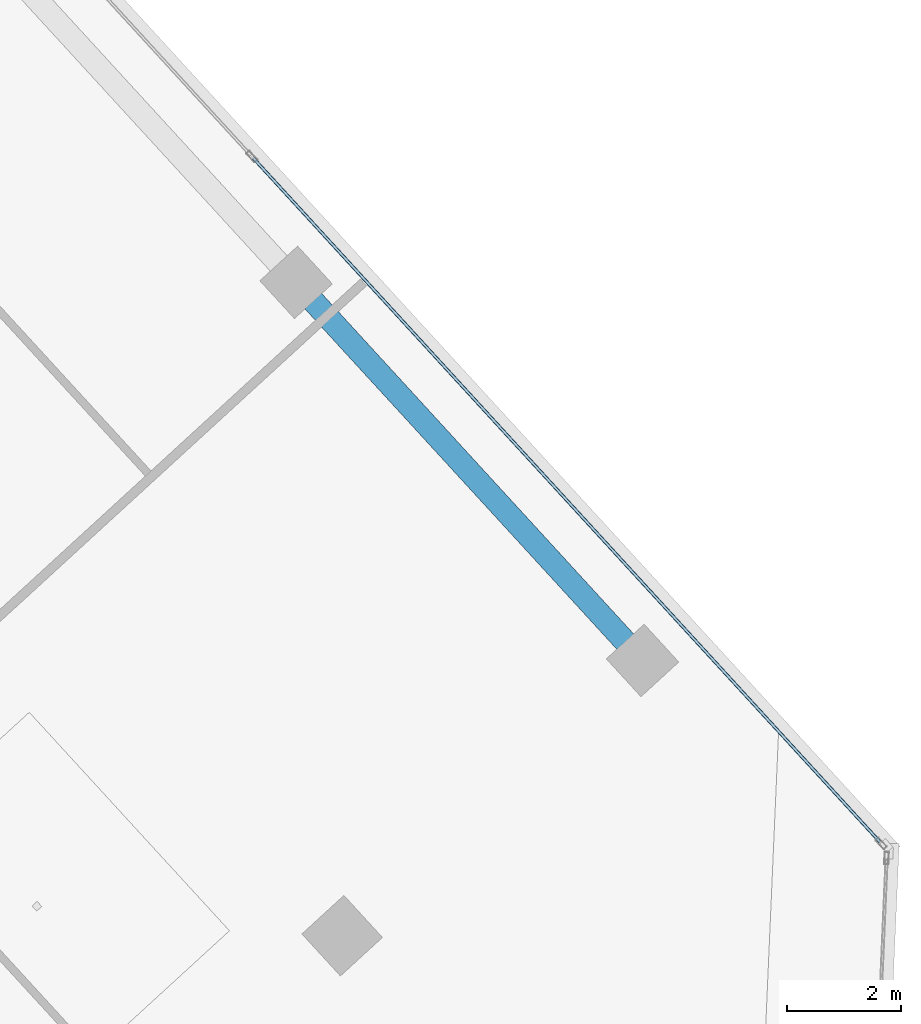
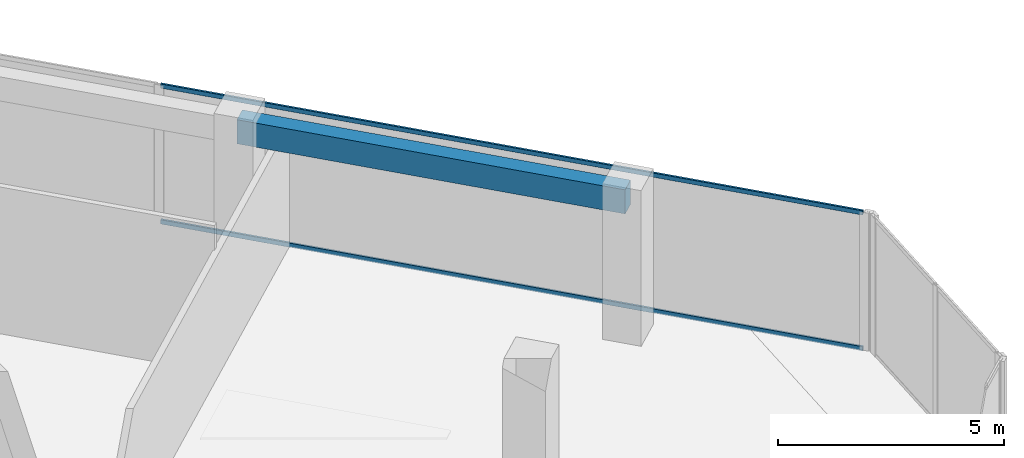
# One storey, part 7 of 18: 2 members, 1 beam, 1 element without a shape of its own.
"""IFC4 building model written with IfcOpenShell, lengths in metres."""

from ifc_helpers import new_model, si_unit, direction, frame, origin, origin_2d, place, context, subcontext, project, spatial, rectangle, hollow_rectangle, extrude, source, transform, mapped, material, material_profile, profile_set, type_object, element, aggregate, save


model = new_model("IFC4")

# Units and contexts
model_context = context("Model", 3, precision=1e-05, world=origin(), true_north=direction((0.0, 1.0)))
body_context = subcontext(model_context, "Body", "Model", "MODEL_VIEW")
ifc_project = project(units=[si_unit("LENGTHUNIT", "METRE"), si_unit("AREAUNIT", "SQUARE_METRE"), si_unit("VOLUMEUNIT", "CUBIC_METRE"), si_unit("PLANEANGLEUNIT", "RADIAN"), si_unit("MASSUNIT", "GRAM", prefix="KILO")], contexts=[model_context])

# Site, building, storey
site_placement = place(None, origin())
site = spatial("IfcSite", under=ifc_project, at=site_placement, CompositionType="ELEMENT")
building_placement = place(site_placement, origin())
building = spatial("IfcBuilding", under=site, at=building_placement, Name="Torre Montelarca", CompositionType="ELEMENT")
storey_placement = place(building_placement, frame((0.0, 0.0, 258.39990234375)))
storey = spatial("IfcBuildingStorey", under=building, at=storey_placement, Name="L58", CompositionType="ELEMENT", Elevation=258.39990234375)

# Beam
ifc_material_1 = material(Name="Concrete C40/50", Category="concrete")
ifc_material_profile_1 = material_profile(ifc_material_1, rectangle(XDim=0.39990234375, YDim=0.64990234375, at=origin_2d()), Name="RCB400X650", Category="concrete")
ifc_profile_set_1 = profile_set([ifc_material_profile_1], Name="Concrete C40/50")
beam_type = type_object("IfcBeamType", Name="BM-SP-RC650-EXT", PredefinedType="SPANDREL", material=ifc_profile_set_1)
shared_shape_1 = source(origin(), body_context, "Body", "SweptSolid", [
    extrude(rectangle(XDim=0.39990234375, YDim=0.64990234375, at=origin_2d()), origin(), (0.0, 0.0, 1.0), 9.0),
])
beam_placement = place(storey_placement, frame((36.385498046875, 38.18017578125, 3.635009765625), z_axis=(0.675590724023, -0.73727686361, 0.0), x_axis=(0.73727686361, 0.675590724023, 0.0)))
element("IfcBeam", 1, at=beam_placement, inside=storey, type_object=beam_type, Name="L58 Grid Girder X 27.0-36.0 at Y=47.1", PredefinedType="SPANDREL", context=body_context, shape_type="MappedRepresentation", body=[
    mapped(shared_shape_1, transform((0.0, 0.0, 0.0), scale=1.0)),
])

# Curtain wall, members
ifc_material_2 = material(Name="Insulated low-E laminated glass", Category="glass")
curtain_wall_type = type_object("IfcCurtainWallType", Name="CW-SYS-Z3", PredefinedType="USERDEFINED", material=ifc_material_2)
curtain_wall_placement = place(storey_placement, origin())
curtain_wall = element("IfcCurtainWall", 2, at=curtain_wall_placement, inside=storey, type_object=curtain_wall_type, Name="L58 Curtain Wall Run CW-T3-L58-E08-B1", ObjectType="UNITISED GLAZING", PredefinedType="USERDEFINED")
ifc_material_3 = material(Name="Anodised aluminium AA 6063-T6", Category="aluminium")
ifc_material_profile_2 = material_profile(ifc_material_3, hollow_rectangle(XDim=0.054931640625, YDim=0.1201171875, WallThickness=0.00341796875, InnerFilletRadius=0.00341796875, OuterFilletRadius=0.007080078125, at=origin_2d()), Name="ALU55X120X3.5", Category="aluminium")
ifc_profile_set_2 = profile_set([ifc_material_profile_2], Name="Anodised aluminium AA 6063-T6")
member_type = type_object("IfcMemberType", Name="CWT-ALU120", PredefinedType="USERDEFINED", material=ifc_profile_set_2)
shared_shape_2 = source(origin(), body_context, "Body", "SweptSolid", [
    extrude(hollow_rectangle(XDim=0.054931640625, YDim=0.1201171875, WallThickness=0.00341796875, InnerFilletRadius=0.00341796875, OuterFilletRadius=0.007080078125, at=origin_2d()), origin(), (0.0, 0.0, 1.0), 16.27197265625),
])
member_1_placement = place(storey_placement, frame((46.629638671875, 28.3623046875, 0.027587890625), z_axis=(-0.675593489814, 0.737274329216, 0.0), x_axis=(-0.737274329216, -0.675593489814, 0.0)))
member_1 = element("IfcMember", 3, at=member_1_placement, type_object=member_type, Name="CW transom 1.1", ObjectType="TRANSOM", PredefinedType="USERDEFINED", context=body_context, shape_type="MappedRepresentation", body=[
    mapped(shared_shape_2, transform((0.0, 0.0, 0.0), scale=1.0)),
])
member_2_placement = place(storey_placement, frame((46.629638671875, 28.3623046875, 3.692626953125), z_axis=(-0.675593489814, 0.737274329216, 0.0), x_axis=(-0.737274329216, -0.675593489814, 0.0)))
member_2 = element("IfcMember", 4, at=member_2_placement, type_object=member_type, Name="CW transom 1.2", ObjectType="TRANSOM", PredefinedType="USERDEFINED", context=body_context, shape_type="MappedRepresentation", body=[
    mapped(shared_shape_2, transform((0.0, 0.0, 0.0), scale=1.0)),
])
aggregate(curtain_wall, [member_1, member_2])

save(model, "model.ifc")
